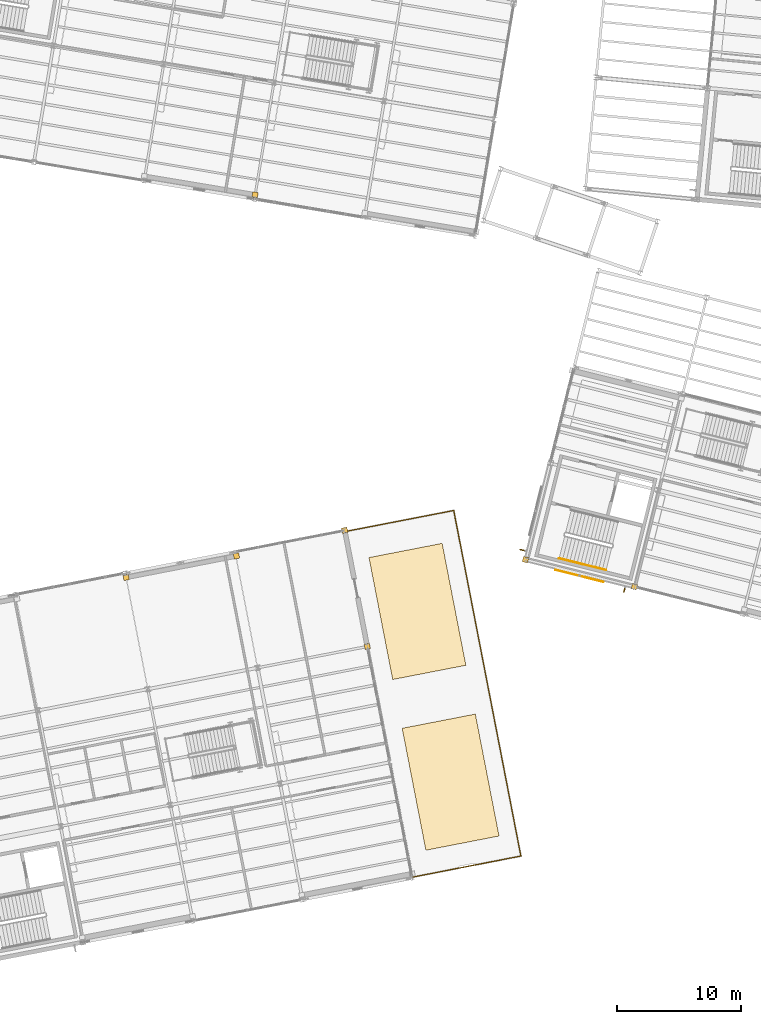
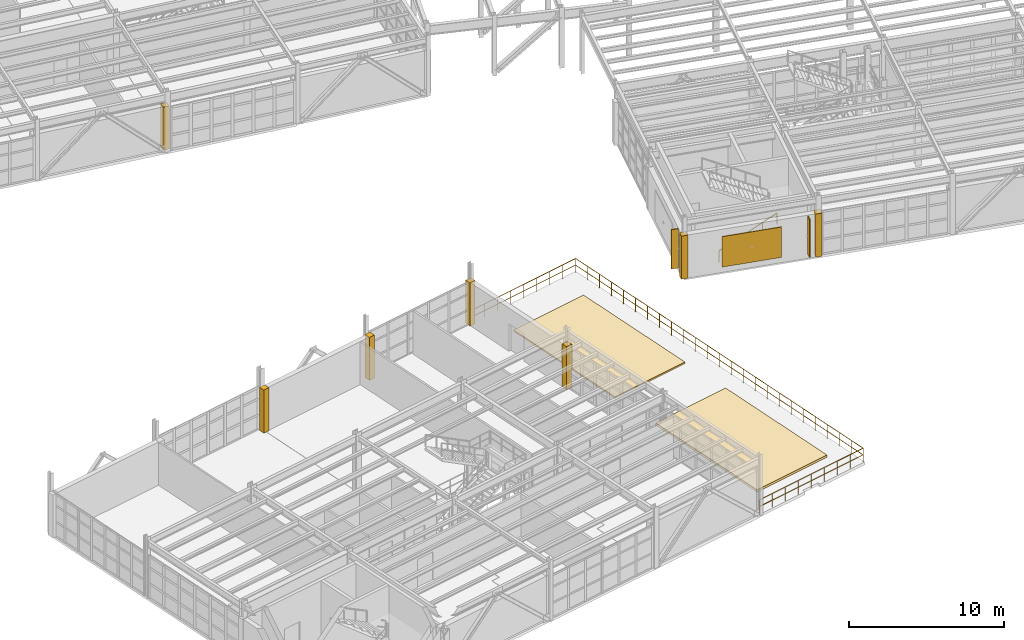
# One storey, part 102 of 109: 10 coverings, 2 railings, 2 shading devices.
"""IFC4 building model written with IfcOpenShell, lengths in metres."""

from ifc_helpers import new_model, si_unit, direction, frame, origin, origin_2d, place, context, subcontext, project, spatial, polyline, rectangle, circle, outline, extrude, material, layer, layer_set, type_object, element, save


model = new_model("IFC4")

# Units and contexts
model_context = context("Model", 3, precision=1e-05, world=origin(), true_north=direction((0.0, 1.0)))
body_context = subcontext(model_context, "Body", "Model", "MODEL_VIEW")
ifc_project = project(units=[si_unit("LENGTHUNIT", "METRE"), si_unit("AREAUNIT", "SQUARE_METRE"), si_unit("VOLUMEUNIT", "CUBIC_METRE"), si_unit("PLANEANGLEUNIT", "RADIAN"), si_unit("MASSUNIT", "GRAM", prefix="KILO")], contexts=[model_context])

# Site, building, storey
site_placement = place(None, origin())
site = spatial("IfcSite", under=ifc_project, at=site_placement, CompositionType="ELEMENT")
building_placement = place(site_placement, origin())
building = spatial("IfcBuilding", under=site, at=building_placement, Name="Vireo Bluff Cable Station", CompositionType="ELEMENT")
storey_placement = place(building_placement, frame((0.0, 0.0, 4.800048828125)))
storey = spatial("IfcBuildingStorey", under=building, at=storey_placement, Name="L01", CompositionType="ELEMENT", Elevation=4.800048828125)

# Coverings
ifc_material_1 = material(Name="Standing-Seam Titanium-Zinc Cladding")
ifc_layer_1 = layer(ifc_material_1, 0.050048828125, Name="Standing-Seam Titanium-Zinc Cladding")
ifc_layer_set_1 = layer_set([ifc_layer_1], Name="Standing-Seam Titanium-Zinc Cladding")
covering_type_1 = type_object("IfcCoveringType", Name="CLADDING-ZINC-50", PredefinedType="CLADDING", material=ifc_layer_set_1)
covering_1_placement = place(storey_placement, frame((58.284423828125, 36.699951171875, 0.449951171875), z_axis=(0.0, 0.0, 1.0), x_axis=(-0.970295718114, 0.241921928335, 0.0)))
element("IfcCovering", 1, at=covering_1_placement, inside=storey, type_object=covering_type_1, Name="V1 L01 ribbed zinc cladding panel 3", PredefinedType="CLADDING", context=body_context, shape_type="SweptSolid", body=[
    extrude(rectangle(XDim=4.0, YDim=0.050048828125, at=origin_2d()), origin(), (0.0, 0.0, 1.0), 2.39990234375),
])
ifc_material_2 = material(Name="Precast concrete f'c 45 MPa", Category="concrete")
ifc_layer_2 = layer(ifc_material_2, 0.0400390625, Name="Precast concrete f'c 45 MPa")
ifc_layer_set_2 = layer_set([ifc_layer_2], Name="Precast concrete f'c 45 MPa")
covering_type_2 = type_object("IfcCoveringType", Name="COL-CLOSURE-WRAP", PredefinedType="CLADDING", material=ifc_layer_set_2)
for number, where, z_axis, x_axis, name in (
    (2, (62.725830078125, 35.824462890625, 0.0), (0.0, 0.0, 1.0), (0.970295726276, -0.2419218956, 0.0), "V1 L01 column pocket closure"),
    (3, (53.951904296875, 38.011962890625, 0.0), (0.0, 0.0, 1.0), (0.970295726276, -0.2419218956, 0.0), "V1 L01 column pocket closure"),
    (4, (32.178955078125, 67.380126953125, 0.0), (0.0, 0.0, 1.0), (0.986285601537, -0.165047605861, 0.0), "V4 L01 column pocket closure"),
    (5, (21.802978515625, 36.57861328125, 0.0), (0.0, 0.0, 1.0), (0.981627183448, 0.190808995377, 0.0), "V5 L01 column pocket closure"),
    (6, (30.680419921875, 38.30419921875, 0.0), (0.0, 0.0, 1.0), (0.981627183448, 0.190808995377, 0.0), "V5 L01 column pocket closure"),
    (7, (39.395751953125, 40.3701171875, 0.0), (0.0, 0.0, 1.0), (0.981627183448, 0.190808995377, 0.0), "V5 L01 column pocket closure"),
    (8, (41.212646484375, 31.0234375, 0.0), (0.0, 0.0, 1.0), (0.981627183448, 0.190808995377, 0.0), "V5 L01 column pocket closure"),
):
    element("IfcCovering", number, at=place(storey_placement, frame(where, z_axis=z_axis, x_axis=x_axis)), inside=storey, type_object=covering_type_2, Name=name, PredefinedType="CLADDING", context=body_context, shape_type="SweptSolid", body=[
        extrude(rectangle(XDim=0.43994140625, YDim=0.43994140625, at=origin_2d()), origin(), (0.0, 0.0, 1.0), 3.39990234375),
    ])

# Railing
ifc_material_3 = material(Name="Stainless Steel 316", Category="steel")
railing_type_1 = type_object("IfcRailingType", Name="EXTGUARD-1100", PredefinedType="GUARDRAIL", material=ifc_material_3)
railing_1_placement = place(storey_placement, frame((44.862548828125, 12.455322265625, 0.0)))
element("IfcRailing", 9, at=railing_1_placement, inside=storey, type_object=railing_type_1, Name="V5 L01 outdoor terrace guard 3", PredefinedType="GUARDRAIL", context=body_context, shape_type="SweptSolid", body=[
    extrude(circle(Radius=0.02392578125, at=origin_2d()), frame((0.0, 0.0, 1.076171875), z_axis=(0.981627979352, 0.190804900759, 0.0), x_axis=(-0.190804900759, 0.981627979352, 0.0)), (0.0, 0.0, 1.0), 8.8798828125),
    extrude(circle(Radius=0.02392578125, at=origin_2d()), frame((0.0, 0.0, 0.550048828125), z_axis=(0.981627979352, 0.190804900759, 0.0), x_axis=(-0.190804900759, 0.981627979352, 0.0)), (0.0, 0.0, 1.0), 8.8798828125),
    extrude(circle(Radius=0.02392578125, at=origin_2d()), frame((8.716796875, 1.6943359375, 1.076171875), z_axis=(-0.190806941151, 0.981627582746, 0.0), x_axis=(-0.981627582746, -0.190806941151, 0.0)), (0.0, 0.0, 1.0), 28.340087890625),
    extrude(circle(Radius=0.02392578125, at=origin_2d()), frame((8.716796875, 1.6943359375, 0.550048828125), z_axis=(-0.190806941151, 0.981627582746, 0.0), x_axis=(-0.981627582746, -0.190806941151, 0.0)), (0.0, 0.0, 1.0), 28.340087890625),
    extrude(circle(Radius=0.02392578125, at=origin_2d()), frame((3.309326171875, 29.513671875, 1.076171875), z_axis=(-0.981627979352, -0.190804900759, 0.0), x_axis=(0.190804900759, -0.981627979352, 0.0)), (0.0, 0.0, 1.0), 8.8798828125),
    extrude(circle(Radius=0.02392578125, at=origin_2d()), frame((3.309326171875, 29.513671875, 0.550048828125), z_axis=(-0.981627979352, -0.190804900759, 0.0), x_axis=(0.190804900759, -0.981627979352, 0.0)), (0.0, 0.0, 1.0), 8.8798828125),
    extrude(circle(Radius=0.02099609375, at=origin_2d()), origin(), (0.0, 0.0, 1.0), 1.052001953125),
    extrude(circle(Radius=0.02099609375, at=origin_2d()), frame((1.089599609375, 0.2119140625, 0.0)), (0.0, 0.0, 1.0), 1.052001953125),
    extrude(circle(Radius=0.02099609375, at=origin_2d()), frame((2.17919921875, 0.423583984375, 0.0)), (0.0, 0.0, 1.0), 1.052001953125),
    extrude(circle(Radius=0.02099609375, at=origin_2d()), frame((3.268798828125, 0.63525390625, 0.0)), (0.0, 0.0, 1.0), 1.052001953125),
    extrude(circle(Radius=0.02099609375, at=origin_2d()), frame((4.3583984375, 0.84716796875, 0.0)), (0.0, 0.0, 1.0), 1.052001953125),
    extrude(circle(Radius=0.02099609375, at=origin_2d()), frame((5.447998046875, 1.05908203125, 0.0)), (0.0, 0.0, 1.0), 1.052001953125),
    extrude(circle(Radius=0.02099609375, at=origin_2d()), frame((6.53759765625, 1.270751953125, 0.0)), (0.0, 0.0, 1.0), 1.052001953125),
    extrude(circle(Radius=0.02099609375, at=origin_2d()), frame((7.627197265625, 1.482421875, 0.0)), (0.0, 0.0, 1.0), 1.052001953125),
    extrude(circle(Radius=0.02099609375, at=origin_2d()), frame((8.716796875, 1.6943359375, 0.0)), (0.0, 0.0, 1.0), 1.052001953125),
    extrude(circle(Radius=0.02099609375, at=origin_2d()), frame((8.491455078125, 2.853515625, 0.0)), (0.0, 0.0, 1.0), 1.052001953125),
    extrude(circle(Radius=0.02099609375, at=origin_2d()), frame((8.26611328125, 4.0126953125, 0.0)), (0.0, 0.0, 1.0), 1.052001953125),
    extrude(circle(Radius=0.02099609375, at=origin_2d()), frame((8.040771484375, 5.171875, 0.0)), (0.0, 0.0, 1.0), 1.052001953125),
    extrude(circle(Radius=0.02099609375, at=origin_2d()), frame((7.8154296875, 6.330810546875, 0.0)), (0.0, 0.0, 1.0), 1.052001953125),
    extrude(circle(Radius=0.02099609375, at=origin_2d()), frame((7.59033203125, 7.489990234375, 0.0)), (0.0, 0.0, 1.0), 1.052001953125),
    extrude(circle(Radius=0.02099609375, at=origin_2d()), frame((7.364990234375, 8.649169921875, 0.0)), (0.0, 0.0, 1.0), 1.052001953125),
    extrude(circle(Radius=0.02099609375, at=origin_2d()), frame((7.1396484375, 9.808349609375, 0.0)), (0.0, 0.0, 1.0), 1.052001953125),
    extrude(circle(Radius=0.02099609375, at=origin_2d()), frame((6.914306640625, 10.967529296875, 0.0)), (0.0, 0.0, 1.0), 1.052001953125),
    extrude(circle(Radius=0.02099609375, at=origin_2d()), frame((6.68896484375, 12.12646484375, 0.0)), (0.0, 0.0, 1.0), 1.052001953125),
    extrude(circle(Radius=0.02099609375, at=origin_2d()), frame((6.463623046875, 13.28564453125, 0.0)), (0.0, 0.0, 1.0), 1.052001953125),
    extrude(circle(Radius=0.02099609375, at=origin_2d()), frame((6.23828125, 14.44482421875, 0.0)), (0.0, 0.0, 1.0), 1.052001953125),
    extrude(circle(Radius=0.02099609375, at=origin_2d()), frame((6.01318359375, 15.60400390625, 0.0)), (0.0, 0.0, 1.0), 1.052001953125),
    extrude(circle(Radius=0.02099609375, at=origin_2d()), frame((5.787841796875, 16.76318359375, 0.0)), (0.0, 0.0, 1.0), 1.052001953125),
    extrude(circle(Radius=0.02099609375, at=origin_2d()), frame((5.5625, 17.92236328125, 0.0)), (0.0, 0.0, 1.0), 1.052001953125),
    extrude(circle(Radius=0.02099609375, at=origin_2d()), frame((5.337158203125, 19.08154296875, 0.0)), (0.0, 0.0, 1.0), 1.052001953125),
    extrude(circle(Radius=0.02099609375, at=origin_2d()), frame((5.11181640625, 20.240478515625, 0.0)), (0.0, 0.0, 1.0), 1.052001953125),
    extrude(circle(Radius=0.02099609375, at=origin_2d()), frame((4.886474609375, 21.399658203125, 0.0)), (0.0, 0.0, 1.0), 1.052001953125),
    extrude(circle(Radius=0.02099609375, at=origin_2d()), frame((4.6611328125, 22.558837890625, 0.0)), (0.0, 0.0, 1.0), 1.052001953125),
    extrude(circle(Radius=0.02099609375, at=origin_2d()), frame((4.435791015625, 23.718017578125, 0.0)), (0.0, 0.0, 1.0), 1.052001953125),
    extrude(circle(Radius=0.02099609375, at=origin_2d()), frame((4.21044921875, 24.877197265625, 0.0)), (0.0, 0.0, 1.0), 1.052001953125),
    extrude(circle(Radius=0.02099609375, at=origin_2d()), frame((3.9853515625, 26.0361328125, 0.0)), (0.0, 0.0, 1.0), 1.052001953125),
    extrude(circle(Radius=0.02099609375, at=origin_2d()), frame((3.760009765625, 27.1953125, 0.0)), (0.0, 0.0, 1.0), 1.052001953125),
    extrude(circle(Radius=0.02099609375, at=origin_2d()), frame((3.53466796875, 28.3544921875, 0.0)), (0.0, 0.0, 1.0), 1.052001953125),
    extrude(circle(Radius=0.02099609375, at=origin_2d()), frame((3.309326171875, 29.513671875, 0.0)), (0.0, 0.0, 1.0), 1.052001953125),
    extrude(circle(Radius=0.02099609375, at=origin_2d()), frame((2.2197265625, 29.3017578125, 0.0)), (0.0, 0.0, 1.0), 1.052001953125),
    extrude(circle(Radius=0.02099609375, at=origin_2d()), frame((1.130126953125, 29.090087890625, 0.0)), (0.0, 0.0, 1.0), 1.052001953125),
    extrude(circle(Radius=0.02099609375, at=origin_2d()), frame((0.04052734375, 28.87841796875, 0.0)), (0.0, 0.0, 1.0), 1.052001953125),
    extrude(circle(Radius=0.02099609375, at=origin_2d()), frame((-1.049072265625, 28.66650390625, 0.0)), (0.0, 0.0, 1.0), 1.052001953125),
    extrude(circle(Radius=0.02099609375, at=origin_2d()), frame((-2.138671875, 28.45458984375, 0.0)), (0.0, 0.0, 1.0), 1.052001953125),
    extrude(circle(Radius=0.02099609375, at=origin_2d()), frame((-3.228271484375, 28.242919921875, 0.0)), (0.0, 0.0, 1.0), 1.052001953125),
    extrude(circle(Radius=0.02099609375, at=origin_2d()), frame((-4.31787109375, 28.03125, 0.0)), (0.0, 0.0, 1.0), 1.052001953125),
    extrude(circle(Radius=0.02099609375, at=origin_2d()), frame((-5.407470703125, 27.8193359375, 0.0)), (0.0, 0.0, 1.0), 1.052001953125),
])

# Coverings
ifc_material_4 = material(Name="Vegetated Green Roof Assembly")
ifc_layer_3 = layer(ifc_material_4, 0.1201171875, Name="Vegetated Green Roof Assembly")
ifc_layer_set_3 = layer_set([ifc_layer_3], Name="Vegetated Green Roof Assembly")
covering_type_3 = type_object("IfcCoveringType", Name="ROOFING-GREEN-120", PredefinedType="ROOFING", material=ifc_layer_set_3)
covering_2_placement = place(storey_placement, origin())
element("IfcCovering", 10, at=covering_2_placement, inside=storey, type_object=covering_type_3, Name="V5 L01 vegetated green roof bed 2", PredefinedType="ROOFING", context=body_context, shape_type="SweptSolid", body=[
    extrude(outline(polyline([(43.258056640625, 28.361328125), (49.14794921875, 29.50634765625), (47.23974609375, 39.322509765625), (41.35009765625, 38.177734375), (43.258056640625, 28.361328125)])), origin(), (0.0, 0.0, 1.0), 0.119873046875),
])
ifc_layer_4 = layer(ifc_material_4, 0.179931640625, Name="Vegetated Green Roof Assembly")
ifc_layer_set_4 = layer_set([ifc_layer_4], Name="Vegetated Green Roof Assembly")
covering_type_4 = type_object("IfcCoveringType", Name="ROOFING-GREEN-180", PredefinedType="ROOFING", material=ifc_layer_set_4)
covering_3_placement = place(storey_placement, origin())
element("IfcCovering", 11, at=covering_3_placement, inside=storey, type_object=covering_type_4, Name="V5 L01 vegetated green roof bed 1", PredefinedType="ROOFING", context=body_context, shape_type="SweptSolid", body=[
    extrude(outline(polyline([(45.929443359375, 14.61865234375), (51.819091796875, 15.763427734375), (49.9111328125, 25.579833984375), (44.021240234375, 24.434814453125), (45.929443359375, 14.61865234375)])), origin(), (0.0, 0.0, 1.0), 0.179931640625),
])

# Shading devices
ifc_material_5 = material(Name="Extruded Terracotta Solar Fin", Category="masonry")
shading_device_type_1 = type_object("IfcShadingDeviceType", Name="SOLARFIN-440X3000", PredefinedType="SHUTTER", material=ifc_material_5)
shading_device_1_placement = place(storey_placement, frame((61.916015625, 35.593505859375, 0.349853515625), z_axis=(0.0, 0.0, 1.0), x_axis=(-0.970295718114, 0.241921928335, 0.0)))
element("IfcShadingDevice", 12, at=shading_device_1_placement, inside=storey, type_object=shading_device_type_1, Name="V1 L01 solar brise-soleil fin 3", PredefinedType="SHUTTER", context=body_context, shape_type="SweptSolid", body=[
    extrude(rectangle(XDim=0.080078125, YDim=0.43994140625, at=origin_2d()), origin(), (0.0, 0.0, 1.0), 3.0),
])
shading_device_type_2 = type_object("IfcShadingDeviceType", Name="SOLARFIN-480X3100", PredefinedType="SHUTTER", material=ifc_material_5)
shading_device_2_placement = place(storey_placement, frame((53.733642578125, 38.771240234375, 0.2998046875), z_axis=(0.0, 0.0, 1.0), x_axis=(0.241921822543, 0.970295744491, 0.0)))
element("IfcShadingDevice", 13, at=shading_device_2_placement, inside=storey, type_object=shading_device_type_2, Name="V1 L01 solar brise-soleil fin 4", PredefinedType="SHUTTER", context=body_context, shape_type="SweptSolid", body=[
    extrude(rectangle(XDim=0.080078125, YDim=0.47998046875, at=origin_2d()), origin(), (0.0, 0.0, 1.0), 3.10009765625),
])

# Railing
railing_type_2 = type_object("IfcRailingType", Name="STAIR-HANDRAIL-900", PredefinedType="HANDRAIL", material=ifc_material_3)
railing_2_placement = place(storey_placement, frame((56.65576171875, 38.11083984375, 0.17138671875)))
element("IfcRailing", 14, at=railing_2_placement, inside=storey, type_object=railing_type_2, Name="L01 ST-02 stair handrail 1", PredefinedType="HANDRAIL", context=body_context, shape_type="SweptSolid", body=[
    extrude(circle(Radius=0.02392578125, at=origin_2d()), frame((0.0, 0.0, 0.8759765625), z_axis=(0.842455246132, -0.210070292019, 0.496124612044), x_axis=(0.241946410147, 0.970289613784, 0.0)), (0.0, 0.0, 1.0), 4.491943359375),
    extrude(circle(Radius=0.02099609375, at=origin_2d()), origin(), (0.0, 0.0, 1.0), 0.851806640625),
    extrude(circle(Radius=0.02099609375, at=origin_2d()), frame((0.946044921875, -0.23583984375, 0.55712890625)), (0.0, 0.0, 1.0), 0.851806640625),
    extrude(circle(Radius=0.02099609375, at=origin_2d()), frame((1.89208984375, -0.4716796875, 1.1142578125)), (0.0, 0.0, 1.0), 0.851806640625),
    extrude(circle(Radius=0.02099609375, at=origin_2d()), frame((2.838134765625, -0.707763671875, 1.67138671875)), (0.0, 0.0, 1.0), 0.851806640625),
    extrude(circle(Radius=0.02099609375, at=origin_2d()), frame((3.7841796875, -0.943603515625, 2.228515625)), (0.0, 0.0, 1.0), 0.851806640625),
])

save(model, "model.ifc")
